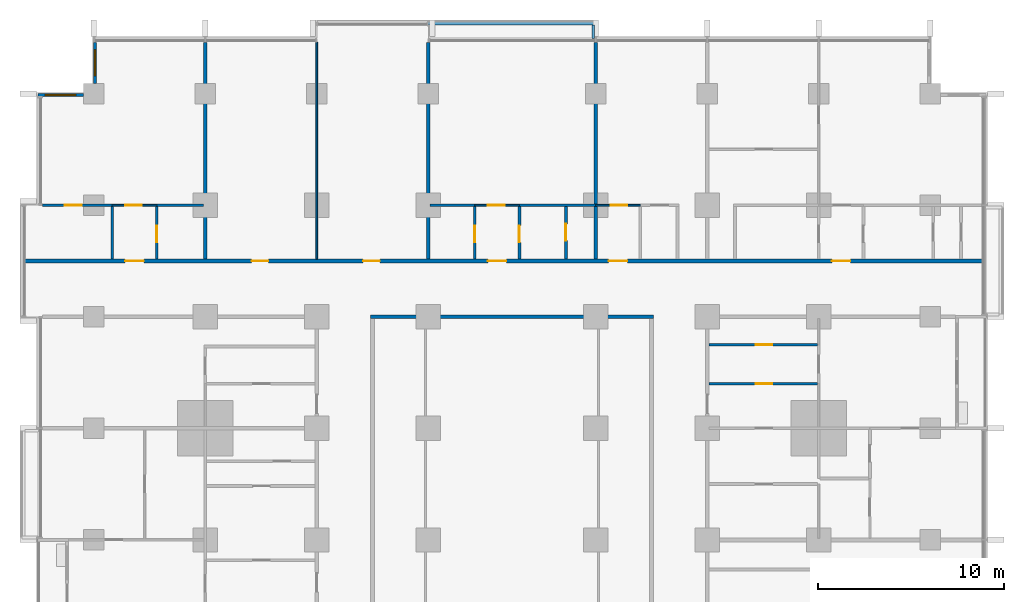
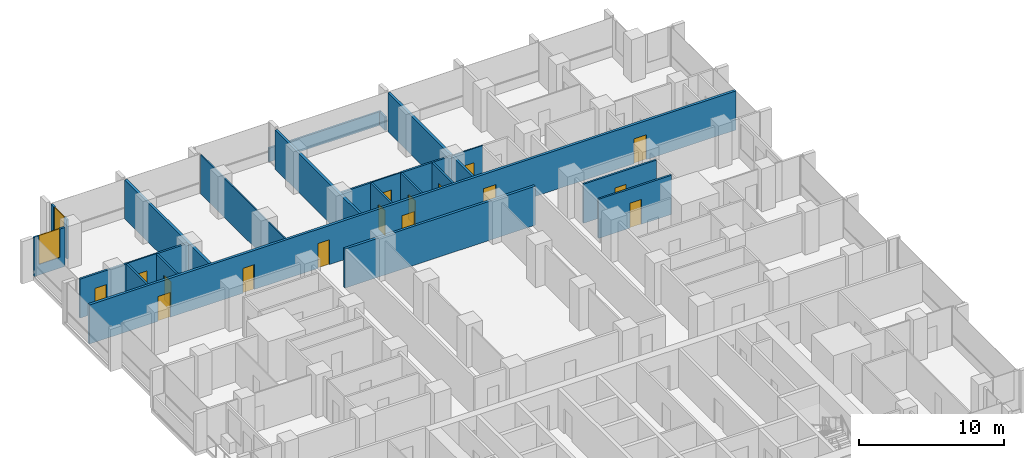
# One storey, part 11 of 18: 25 walls, 16 doors, 2 windows, 18 openings.
"""IFC4 building model written with IfcOpenShell, lengths in metres."""

from ifc_helpers import new_model, si_unit, direction, frame, frame_2d, origin, place, context, subcontext, project, spatial, rectangle, extrude, material, layer, layer_set, type_object, element, fill, save


model = new_model("IFC4")

# Units and contexts
model_context = context("Model", 3, precision=1e-05, world=origin(), true_north=direction((0.0, 1.0)))
body_context = subcontext(model_context, "Body", "Model", "MODEL_VIEW")
ifc_project = project(units=[si_unit("LENGTHUNIT", "METRE"), si_unit("AREAUNIT", "SQUARE_METRE"), si_unit("VOLUMEUNIT", "CUBIC_METRE"), si_unit("PLANEANGLEUNIT", "RADIAN"), si_unit("MASSUNIT", "GRAM", prefix="KILO")], contexts=[model_context])

# Site, building, storey
site_placement = place(None, origin())
site = spatial("IfcSite", under=ifc_project, at=site_placement, CompositionType="ELEMENT")
building_placement = place(site_placement, origin())
building = spatial("IfcBuilding", under=site, at=building_placement, Name="Finial Court Residences", CompositionType="ELEMENT")
storey_placement = place(building_placement, frame((0.0, 0.0, 36.10009765625)))
storey = spatial("IfcBuildingStorey", under=building, at=storey_placement, Name="L07", CompositionType="ELEMENT", Elevation=36.10009765625)

# Walls
ifc_material_1 = material(Name="Gypsum board")
ifc_layer_1 = layer(ifc_material_1, 0.02490234375)
ifc_material_2 = material(Name="Acoustic mineral wool in double frame")
ifc_layer_2 = layer(ifc_material_2, 0.14990234375)
ifc_layer_3 = layer(ifc_material_1, 0.02490234375)
ifc_layer_set_1 = layer_set([ifc_layer_1, ifc_layer_2, ifc_layer_3], Name="Acoustic party wall 200, 1 hour")
wall_type_1 = type_object("IfcWallType", Name="Acoustic party wall 200, 1 hour", PredefinedType="PARTITIONING", material=ifc_layer_set_1)
wall_1_placement = place(storey_placement, frame((4.5, 16.60009765625, 0.0), z_axis=(0.0, 0.0, 1.0), x_axis=(0.0, 1.0, 0.0)))
element("IfcWall", 1, at=wall_1_placement, inside=storey, type_object=wall_type_1, Name="Partition L07-069", PredefinedType="PARTITIONING", context=body_context, shape_type="SweptSolid", body=[
    extrude(rectangle(XDim=2.824951171875, YDim=0.199951171875, at=frame_2d((1.41259765625, 0.0))), origin(), (0.0, 0.0, 1.0), 3.2998046875),
])
wall_2_placement = place(storey_placement, frame((4.5, 19.574951171875, 0.0), z_axis=(0.0, 0.0, 1.0), x_axis=(0.0, 1.0, 0.0)))
element("IfcWall", 2, at=wall_2_placement, inside=storey, type_object=wall_type_1, Name="Partition L07-070", PredefinedType="PARTITIONING", context=body_context, shape_type="SweptSolid", body=[
    extrude(rectangle(XDim=8.675048828125, YDim=0.199951171875, at=frame_2d((4.33740234375, 0.0))), origin(), (0.0, 0.0, 1.0), 3.2998046875),
])
ifc_layer_4 = layer(ifc_material_1, 0.02490234375)
ifc_layer_5 = layer(ifc_material_2, 0.14990234375)
ifc_layer_6 = layer(ifc_material_1, 0.02490234375)
ifc_layer_set_2 = layer_set([ifc_layer_4, ifc_layer_5, ifc_layer_6], Name="Corridor wall 200, 1 hour")
wall_type_2 = type_object("IfcWallType", Name="Corridor wall 200, 1 hour", PredefinedType="PARTITIONING", material=ifc_layer_set_2)
wall_3_placement = place(storey_placement, frame((-7.60009765625, 13.5, 0.0), z_axis=(0.0, 0.0, 1.0), x_axis=(1.0, 0.0, 0.0)))
element("IfcWall", 3, at=wall_3_placement, inside=storey, type_object=wall_type_2, Name="Partition L07-032", PredefinedType="PARTITIONING", context=body_context, shape_type="SweptSolid", body=[
    extrude(rectangle(XDim=15.2001953125, YDim=0.199951171875, at=frame_2d((7.60009765625, 0.0))), origin(), (0.0, 0.0, 1.0), 3.2998046875),
])

# Wall, openings, doors
wall_4_placement = place(storey_placement, frame((-26.25, 16.5, 0.0), z_axis=(0.0, 0.0, 1.0), x_axis=(1.0, 0.0, 0.0)))
wall_4 = element("IfcWall", 4, at=wall_4_placement, inside=storey, type_object=wall_type_2, Name="Partition L07-034", PredefinedType="PARTITIONING", context=body_context, shape_type="SweptSolid", body=[
    extrude(rectangle(XDim=51.60009765625, YDim=0.199951171875, at=frame_2d((25.800048828125, 0.0))), origin(), (0.0, 0.0, 1.0), 3.2998046875),
])
opening_1_placement = place(wall_4_placement, frame((5.449951171875, 0.0, 0.0)))
opening_1 = element("IfcOpeningElement", 5, at=opening_1_placement, cuts=wall_4, Name="Opening L07-D022", PredefinedType="OPENING", context=body_context, shape_type="SweptSolid", body=[
    extrude(rectangle(XDim=1.0, YDim=2.10009765625, at=frame_2d((0.5, 1.050048828125))), frame((0.0, 0.10986328125, 0.0), z_axis=(0.0, -1.0, 0.0), x_axis=(1.0, 0.0, 0.0)), (0.0, 0.0, 1.0), 0.219970703125),
])
opening_2_placement = place(wall_4_placement, frame((12.25, 0.0, 0.0)))
opening_2 = element("IfcOpeningElement", 6, at=opening_2_placement, cuts=wall_4, Name="Opening L07-D023", PredefinedType="OPENING", context=body_context, shape_type="SweptSolid", body=[
    extrude(rectangle(XDim=0.89990234375, YDim=2.10009765625, at=frame_2d((0.449951171875, 1.050048828125))), frame((0.0, 0.10986328125, 0.0), z_axis=(0.0, -1.0, 0.0), x_axis=(1.0, 0.0, 0.0)), (0.0, 0.0, 1.0), 0.219970703125),
])
opening_3_placement = place(wall_4_placement, frame((18.25, 0.0, 0.0)))
opening_3 = element("IfcOpeningElement", 7, at=opening_3_placement, cuts=wall_4, Name="Opening L07-D024", PredefinedType="OPENING", context=body_context, shape_type="SweptSolid", body=[
    extrude(rectangle(XDim=0.89990234375, YDim=2.10009765625, at=frame_2d((0.449951171875, 1.050048828125))), frame((0.0, 0.10986328125, 0.0), z_axis=(0.0, -1.0, 0.0), x_axis=(1.0, 0.0, 0.0)), (0.0, 0.0, 1.0), 0.219970703125),
])
opening_4_placement = place(wall_4_placement, frame((24.949951171875, 0.0, 0.0)))
opening_4 = element("IfcOpeningElement", 8, at=opening_4_placement, cuts=wall_4, Name="Opening L07-D025", PredefinedType="OPENING", context=body_context, shape_type="SweptSolid", body=[
    extrude(rectangle(XDim=1.0, YDim=2.10009765625, at=frame_2d((0.5, 1.050048828125))), frame((0.0, 0.10986328125, 0.0), z_axis=(0.0, -1.0, 0.0), x_axis=(1.0, 0.0, 0.0)), (0.0, 0.0, 1.0), 0.219970703125),
])
opening_5_placement = place(wall_4_placement, frame((31.449951171875, 0.0, 0.0)))
opening_5 = element("IfcOpeningElement", 9, at=opening_5_placement, cuts=wall_4, Name="Opening L07-D026", PredefinedType="OPENING", context=body_context, shape_type="SweptSolid", body=[
    extrude(rectangle(XDim=1.0, YDim=2.10009765625, at=frame_2d((0.5, 1.050048828125))), frame((0.0, 0.10986328125, 0.0), z_axis=(0.0, -1.0, 0.0), x_axis=(1.0, 0.0, 0.0)), (0.0, 0.0, 1.0), 0.219970703125),
])
opening_6_placement = place(wall_4_placement, frame((43.449951171875, 0.0, 0.0)))
opening_6 = element("IfcOpeningElement", 10, at=opening_6_placement, cuts=wall_4, Name="Opening L07-D027", PredefinedType="OPENING", context=body_context, shape_type="SweptSolid", body=[
    extrude(rectangle(XDim=1.0, YDim=2.10009765625, at=frame_2d((0.5, 1.050048828125))), frame((0.0, 0.10986328125, 0.0), z_axis=(0.0, -1.0, 0.0), x_axis=(1.0, 0.0, 0.0)), (0.0, 0.0, 1.0), 0.219970703125),
])
ifc_material_3 = material(Name="Timber door leaf in hollow metal frame", Category="wood")
door_type_1 = type_object("IfcDoorType", Name="Fire door set 1000 x 2100, 30 minutes", OperationType="SINGLE_SWING_LEFT", PredefinedType="DOOR", material=ifc_material_3)
door_1_placement = place(opening_1_placement, origin())
door_1 = element("IfcDoor", 11, at=door_1_placement, inside=storey, type_object=door_type_1, Name="Door L07-D022", OperationType="SINGLE_SWING_RIGHT", OverallHeight=2.10009765625, OverallWidth=1.0, PredefinedType="DOOR", context=body_context, shape_type="SweptSolid", body=[
    extrude(rectangle(XDim=1.0, YDim=2.10009765625, at=frame_2d((0.5, 1.050048828125))), frame((0.0, 0.02490234375, 0.0), z_axis=(0.0, -1.0, 0.0), x_axis=(1.0, 0.0, 0.0)), (0.0, 0.0, 1.0), 0.050048828125),
])
fill(opening_1, door_1)
door_2_placement = place(opening_4_placement, origin())
door_2 = element("IfcDoor", 12, at=door_2_placement, inside=storey, type_object=door_type_1, Name="Door L07-D025", OperationType="SINGLE_SWING_RIGHT", OverallHeight=2.10009765625, OverallWidth=1.0, PredefinedType="DOOR", context=body_context, shape_type="SweptSolid", body=[
    extrude(rectangle(XDim=1.0, YDim=2.10009765625, at=frame_2d((0.5, 1.050048828125))), frame((0.0, 0.02490234375, 0.0), z_axis=(0.0, -1.0, 0.0), x_axis=(1.0, 0.0, 0.0)), (0.0, 0.0, 1.0), 0.050048828125),
])
fill(opening_4, door_2)
door_3_placement = place(opening_5_placement, origin())
door_3 = element("IfcDoor", 13, at=door_3_placement, inside=storey, type_object=door_type_1, Name="Door L07-D026", OperationType="SINGLE_SWING_LEFT", OverallHeight=2.10009765625, OverallWidth=1.0, PredefinedType="DOOR", context=body_context, shape_type="SweptSolid", body=[
    extrude(rectangle(XDim=1.0, YDim=2.10009765625, at=frame_2d((0.5, 1.050048828125))), frame((0.0, 0.02490234375, 0.0), z_axis=(0.0, -1.0, 0.0), x_axis=(1.0, 0.0, 0.0)), (0.0, 0.0, 1.0), 0.050048828125),
])
fill(opening_5, door_3)
door_4_placement = place(opening_6_placement, origin())
door_4 = element("IfcDoor", 14, at=door_4_placement, inside=storey, type_object=door_type_1, Name="Door L07-D027", OperationType="SINGLE_SWING_LEFT", OverallHeight=2.10009765625, OverallWidth=1.0, PredefinedType="DOOR", context=body_context, shape_type="SweptSolid", body=[
    extrude(rectangle(XDim=1.0, YDim=2.10009765625, at=frame_2d((0.5, 1.050048828125))), frame((0.0, 0.02490234375, 0.0), z_axis=(0.0, -1.0, 0.0), x_axis=(1.0, 0.0, 0.0)), (0.0, 0.0, 1.0), 0.050048828125),
])
fill(opening_6, door_4)
door_type_2 = type_object("IfcDoorType", Name="Fire door set 900 x 2100, 30 minutes", OperationType="SINGLE_SWING_LEFT", PredefinedType="DOOR", material=ifc_material_3)
door_5_placement = place(opening_2_placement, origin())
door_5 = element("IfcDoor", 15, at=door_5_placement, inside=storey, type_object=door_type_2, Name="Door L07-D023", OperationType="SINGLE_SWING_RIGHT", OverallHeight=2.10009765625, OverallWidth=0.89990234375, PredefinedType="DOOR", context=body_context, shape_type="SweptSolid", body=[
    extrude(rectangle(XDim=0.89990234375, YDim=2.10009765625, at=frame_2d((0.449951171875, 1.050048828125))), frame((0.0, 0.02490234375, 0.0), z_axis=(0.0, -1.0, 0.0), x_axis=(1.0, 0.0, 0.0)), (0.0, 0.0, 1.0), 0.050048828125),
])
fill(opening_2, door_5)
door_6_placement = place(opening_3_placement, origin())
door_6 = element("IfcDoor", 16, at=door_6_placement, inside=storey, type_object=door_type_2, Name="Door L07-D024", OperationType="SINGLE_SWING_RIGHT", OverallHeight=2.10009765625, OverallWidth=0.89990234375, PredefinedType="DOOR", context=body_context, shape_type="SweptSolid", body=[
    extrude(rectangle(XDim=0.89990234375, YDim=2.10009765625, at=frame_2d((0.449951171875, 1.050048828125))), frame((0.0, 0.02490234375, 0.0), z_axis=(0.0, -1.0, 0.0), x_axis=(1.0, 0.0, 0.0)), (0.0, 0.0, 1.0), 0.050048828125),
])
fill(opening_3, door_6)

# Walls
for number, where, z_axis, x_axis, name in (
    (17, (-16.5, 16.60009765625, 0.0), (0.0, 0.0, 1.0), (0.0, 1.0, 0.0), "Partition L07-051"),
    (18, (-4.5, 16.60009765625, 0.0), (0.0, 0.0, 1.0), (0.0, 1.0, 0.0), "Partition L07-065"),
):
    element("IfcWall", number, at=place(storey_placement, frame(where, z_axis=z_axis, x_axis=x_axis)), inside=storey, type_object=wall_type_2, Name=name, PredefinedType="PARTITIONING", context=body_context, shape_type="SweptSolid", body=[
        extrude(rectangle(XDim=11.64990234375, YDim=0.199951171875, at=frame_2d((5.824951171875, 0.0))), origin(), (0.0, 0.0, 1.0), 3.2998046875),
    ])

# Wall, opening, door
ifc_layer_7 = layer(ifc_material_1, 0.012451171875)
ifc_material_4 = material(Name="Mineral wool in light-gauge frame")
ifc_layer_8 = layer(ifc_material_4, 0.074951171875)
ifc_layer_9 = layer(ifc_material_1, 0.012451171875)
ifc_layer_set_3 = layer_set([ifc_layer_7, ifc_layer_8, ifc_layer_9], Name="Gypsum board partition 100")
wall_type_3 = type_object("IfcWallType", Name="Gypsum board partition 100", PredefinedType="PARTITIONING", material=ifc_layer_set_3)
wall_5_placement = place(storey_placement, frame((-21.5, 19.5, 0.0), z_axis=(0.0, 0.0, 1.0), x_axis=(1.0, 0.0, 0.0)))
wall_5 = element("IfcWall", 19, at=wall_5_placement, inside=storey, type_object=wall_type_3, Name="Partition L07-035", PredefinedType="PARTITIONING", context=body_context, shape_type="SweptSolid", body=[
    extrude(rectangle(XDim=2.39990234375, YDim=0.10009765625, at=frame_2d((1.199951171875, 0.0))), origin(), (0.0, 0.0, 1.0), 3.2998046875),
])
opening_7_placement = place(wall_5_placement, frame((0.699951171875, 0.0, 0.0)))
opening_7 = element("IfcOpeningElement", 20, at=opening_7_placement, cuts=wall_5, Name="Opening L07-D028", PredefinedType="OPENING", context=body_context, shape_type="SweptSolid", body=[
    extrude(rectangle(XDim=0.89990234375, YDim=2.10009765625, at=frame_2d((0.449951171875, 1.050048828125))), frame((0.0, 0.06005859375, 0.0), z_axis=(0.0, -1.0, 0.0), x_axis=(1.0, 0.0, 0.0)), (0.0, 0.0, 1.0), 0.1201171875),
])
ifc_material_5 = material(Name="Timber door leaf in timber frame", Category="wood")
door_type_3 = type_object("IfcDoorType", Name="Door set 900 x 2100", OperationType="SINGLE_SWING_LEFT", PredefinedType="DOOR", material=ifc_material_5)
door_7_placement = place(opening_7_placement, origin())
door_7 = element("IfcDoor", 21, at=door_7_placement, inside=storey, type_object=door_type_3, Name="Door L07-D028", OperationType="SINGLE_SWING_RIGHT", OverallHeight=2.10009765625, OverallWidth=0.89990234375, PredefinedType="DOOR", context=body_context, shape_type="SweptSolid", body=[
    extrude(rectangle(XDim=0.89990234375, YDim=2.10009765625, at=frame_2d((0.449951171875, 1.050048828125))), frame((0.0, 0.02490234375, 0.0), z_axis=(0.0, -1.0, 0.0), x_axis=(1.0, 0.0, 0.0)), (0.0, 0.0, 1.0), 0.050048828125),
])
fill(opening_7, door_7)

wall_6_placement = place(storey_placement, frame((-2.0, 19.5, 0.0), z_axis=(0.0, 0.0, 1.0), x_axis=(1.0, 0.0, 0.0)))
wall_6 = element("IfcWall", 22, at=wall_6_placement, inside=storey, type_object=wall_type_3, Name="Partition L07-036", PredefinedType="PARTITIONING", context=body_context, shape_type="SweptSolid", body=[
    extrude(rectangle(XDim=2.39990234375, YDim=0.10009765625, at=frame_2d((1.199951171875, 0.0))), origin(), (0.0, 0.0, 1.0), 3.2998046875),
])
opening_8_placement = place(wall_6_placement, frame((0.699951171875, 0.0, 0.0)))
opening_8 = element("IfcOpeningElement", 23, at=opening_8_placement, cuts=wall_6, Name="Opening L07-D029", PredefinedType="OPENING", context=body_context, shape_type="SweptSolid", body=[
    extrude(rectangle(XDim=0.89990234375, YDim=2.10009765625, at=frame_2d((0.449951171875, 1.050048828125))), frame((0.0, 0.06005859375, 0.0), z_axis=(0.0, -1.0, 0.0), x_axis=(1.0, 0.0, 0.0)), (0.0, 0.0, 1.0), 0.1201171875),
])
door_8_placement = place(opening_8_placement, origin())
door_8 = element("IfcDoor", 24, at=door_8_placement, inside=storey, type_object=door_type_3, Name="Door L07-D029", OperationType="SINGLE_SWING_RIGHT", OverallHeight=2.10009765625, OverallWidth=0.89990234375, PredefinedType="DOOR", context=body_context, shape_type="SweptSolid", body=[
    extrude(rectangle(XDim=0.89990234375, YDim=2.10009765625, at=frame_2d((0.449951171875, 1.050048828125))), frame((0.0, 0.02490234375, 0.0), z_axis=(0.0, -1.0, 0.0), x_axis=(1.0, 0.0, 0.0)), (0.0, 0.0, 1.0), 0.050048828125),
])
fill(opening_8, door_8)

wall_7_placement = place(storey_placement, frame((4.5, 19.5, 0.0), z_axis=(0.0, 0.0, 1.0), x_axis=(1.0, 0.0, 0.0)))
wall_7 = element("IfcWall", 25, at=wall_7_placement, inside=storey, type_object=wall_type_3, Name="Partition L07-037", PredefinedType="PARTITIONING", context=body_context, shape_type="SweptSolid", body=[
    extrude(rectangle(XDim=2.39990234375, YDim=0.10009765625, at=frame_2d((1.199951171875, 0.0))), origin(), (0.0, 0.0, 1.0), 3.2998046875),
])
opening_9_placement = place(wall_7_placement, frame((0.800048828125, 0.0, 0.0)))
opening_9 = element("IfcOpeningElement", 26, at=opening_9_placement, cuts=wall_7, Name="Opening L07-D030", PredefinedType="OPENING", context=body_context, shape_type="SweptSolid", body=[
    extrude(rectangle(XDim=0.89990234375, YDim=2.10009765625, at=frame_2d((0.449951171875, 1.050048828125))), frame((0.0, 0.06005859375, 0.0), z_axis=(0.0, -1.0, 0.0), x_axis=(1.0, 0.0, 0.0)), (0.0, 0.0, 1.0), 0.1201171875),
])
door_9_placement = place(opening_9_placement, origin())
door_9 = element("IfcDoor", 27, at=door_9_placement, inside=storey, type_object=door_type_3, Name="Door L07-D030", OperationType="SINGLE_SWING_RIGHT", OverallHeight=2.10009765625, OverallWidth=0.89990234375, PredefinedType="DOOR", context=body_context, shape_type="SweptSolid", body=[
    extrude(rectangle(XDim=0.89990234375, YDim=2.10009765625, at=frame_2d((0.449951171875, 1.050048828125))), frame((0.0, 0.02490234375, 0.0), z_axis=(0.0, -1.0, 0.0), x_axis=(1.0, 0.0, 0.0)), (0.0, 0.0, 1.0), 0.050048828125),
])
fill(opening_9, door_9)

# Wall
wall_8_placement = place(storey_placement, frame((-10.5, 16.60009765625, 0.0), z_axis=(0.0, 0.0, 1.0), x_axis=(0.0, 1.0, 0.0)))
element("IfcWall", 28, at=wall_8_placement, inside=storey, type_object=wall_type_3, Name="Partition L07-062", PredefinedType="PARTITIONING", context=body_context, shape_type="SweptSolid", body=[
    extrude(rectangle(XDim=11.64990234375, YDim=0.10009765625, at=frame_2d((5.824951171875, 0.0))), origin(), (0.0, 0.0, 1.0), 3.2998046875),
])

# Wall, opening, door
ifc_material_6 = material(Name="Moisture-resistant gypsum board")
ifc_layer_10 = layer(ifc_material_6, 0.012451171875)
ifc_layer_11 = layer(ifc_material_4, 0.125)
ifc_layer_12 = layer(ifc_material_6, 0.012451171875)
ifc_layer_set_4 = layer_set([ifc_layer_10, ifc_layer_11, ifc_layer_12], Name="Gypsum board wet-area partition 150")
wall_type_4 = type_object("IfcWallType", Name="Gypsum board wet-area partition 150", PredefinedType="PARTITIONING", material=ifc_layer_set_4)
wall_9_placement = place(storey_placement, frame((10.60009765625, 9.89990234375, 0.0), z_axis=(0.0, 0.0, 1.0), x_axis=(1.0, 0.0, 0.0)))
wall_9 = element("IfcWall", 29, at=wall_9_placement, inside=storey, type_object=wall_type_4, Name="Partition L07-028", PredefinedType="PARTITIONING", context=body_context, shape_type="SweptSolid", body=[
    extrude(rectangle(XDim=5.824951171875, YDim=0.14990234375, at=frame_2d((2.91259765625, 0.0))), origin(), (0.0, 0.0, 1.0), 3.2998046875),
])
opening_10_placement = place(wall_9_placement, frame((2.5, 0.0, 0.0)))
opening_10 = element("IfcOpeningElement", 30, at=opening_10_placement, cuts=wall_9, Name="Opening L07-D020", PredefinedType="OPENING", context=body_context, shape_type="SweptSolid", body=[
    extrude(rectangle(XDim=0.89990234375, YDim=2.10009765625, at=frame_2d((0.449951171875, 1.050048828125))), frame((0.0, 0.0849609375, 0.0), z_axis=(0.0, -1.0, 0.0), x_axis=(1.0, 0.0, 0.0)), (0.0, 0.0, 1.0), 0.169921875),
])
door_10_placement = place(opening_10_placement, origin())
door_10 = element("IfcDoor", 31, at=door_10_placement, inside=storey, type_object=door_type_3, Name="Door L07-D020", OperationType="SINGLE_SWING_LEFT", OverallHeight=2.10009765625, OverallWidth=0.89990234375, PredefinedType="DOOR", context=body_context, shape_type="SweptSolid", body=[
    extrude(rectangle(XDim=0.89990234375, YDim=2.10009765625, at=frame_2d((0.449951171875, 1.050048828125))), frame((0.0, 0.02490234375, 0.0), z_axis=(0.0, -1.0, 0.0), x_axis=(1.0, 0.0, 0.0)), (0.0, 0.0, 1.0), 0.050048828125),
])
fill(opening_10, door_10)

wall_10_placement = place(storey_placement, frame((10.60009765625, 12.0, 0.0), z_axis=(0.0, 0.0, 1.0), x_axis=(1.0, 0.0, 0.0)))
wall_10 = element("IfcWall", 32, at=wall_10_placement, inside=storey, type_object=wall_type_4, Name="Partition L07-030", PredefinedType="PARTITIONING", context=body_context, shape_type="SweptSolid", body=[
    extrude(rectangle(XDim=5.824951171875, YDim=0.14990234375, at=frame_2d((2.91259765625, 0.0))), origin(), (0.0, 0.0, 1.0), 3.2998046875),
])
opening_11_placement = place(wall_10_placement, frame((2.5, 0.0, 0.0)))
opening_11 = element("IfcOpeningElement", 33, at=opening_11_placement, cuts=wall_10, Name="Opening L07-D021", PredefinedType="OPENING", context=body_context, shape_type="SweptSolid", body=[
    extrude(rectangle(XDim=0.89990234375, YDim=2.10009765625, at=frame_2d((0.449951171875, 1.050048828125))), frame((0.0, 0.0849609375, 0.0), z_axis=(0.0, -1.0, 0.0), x_axis=(1.0, 0.0, 0.0)), (0.0, 0.0, 1.0), 0.169921875),
])
door_11_placement = place(opening_11_placement, origin())
door_11 = element("IfcDoor", 34, at=door_11_placement, inside=storey, type_object=door_type_3, Name="Door L07-D021", OperationType="SINGLE_SWING_RIGHT", OverallHeight=2.10009765625, OverallWidth=0.89990234375, PredefinedType="DOOR", context=body_context, shape_type="SweptSolid", body=[
    extrude(rectangle(XDim=0.89990234375, YDim=2.10009765625, at=frame_2d((0.449951171875, 1.050048828125))), frame((0.0, 0.02490234375, 0.0), z_axis=(0.0, -1.0, 0.0), x_axis=(1.0, 0.0, 0.0)), (0.0, 0.0, 1.0), 0.050048828125),
])
fill(opening_11, door_11)

wall_11_placement = place(storey_placement, frame((-25.25, 19.5, 0.0), z_axis=(0.0, 0.0, 1.0), x_axis=(1.0, 0.0, 0.0)))
wall_11 = element("IfcWall", 35, at=wall_11_placement, inside=storey, type_object=wall_type_4, Name="Partition L07-039", PredefinedType="PARTITIONING", context=body_context, shape_type="SweptSolid", body=[
    extrude(rectangle(XDim=3.75, YDim=0.14990234375, at=frame_2d((1.875, 0.0))), origin(), (0.0, 0.0, 1.0), 3.2998046875),
])
opening_12_placement = place(wall_11_placement, frame((1.199951171875, 0.0, 0.0)))
opening_12 = element("IfcOpeningElement", 36, at=opening_12_placement, cuts=wall_11, Name="Opening L07-D032", PredefinedType="OPENING", context=body_context, shape_type="SweptSolid", body=[
    extrude(rectangle(XDim=0.89990234375, YDim=2.10009765625, at=frame_2d((0.449951171875, 1.050048828125))), frame((0.0, 0.0849609375, 0.0), z_axis=(0.0, -1.0, 0.0), x_axis=(1.0, 0.0, 0.0)), (0.0, 0.0, 1.0), 0.169921875),
])
door_12_placement = place(opening_12_placement, origin())
door_12 = element("IfcDoor", 37, at=door_12_placement, inside=storey, type_object=door_type_3, Name="Door L07-D032", OperationType="SINGLE_SWING_LEFT", OverallHeight=2.10009765625, OverallWidth=0.89990234375, PredefinedType="DOOR", context=body_context, shape_type="SweptSolid", body=[
    extrude(rectangle(XDim=0.89990234375, YDim=2.10009765625, at=frame_2d((0.449951171875, 1.050048828125))), frame((0.0, 0.02490234375, 0.0), z_axis=(0.0, -1.0, 0.0), x_axis=(1.0, 0.0, 0.0)), (0.0, 0.0, 1.0), 0.050048828125),
])
fill(opening_12, door_12)

# Walls
wall_12_placement = place(storey_placement, frame((-19.10009765625, 19.5, 0.0), z_axis=(0.0, 0.0, 1.0), x_axis=(1.0, 0.0, 0.0)))
element("IfcWall", 38, at=wall_12_placement, inside=storey, type_object=wall_type_4, Name="Partition L07-040", PredefinedType="PARTITIONING", context=body_context, shape_type="SweptSolid", body=[
    extrude(rectangle(XDim=2.5, YDim=0.14990234375, at=frame_2d((1.25, 0.0))), origin(), (0.0, 0.0, 1.0), 3.2998046875),
])
wall_13_placement = place(storey_placement, frame((-4.39990234375, 19.5, 0.0), z_axis=(0.0, 0.0, 1.0), x_axis=(1.0, 0.0, 0.0)))
element("IfcWall", 39, at=wall_13_placement, inside=storey, type_object=wall_type_4, Name="Partition L07-041", PredefinedType="PARTITIONING", context=body_context, shape_type="SweptSolid", body=[
    extrude(rectangle(XDim=2.39990234375, YDim=0.14990234375, at=frame_2d((1.199951171875, 0.0))), origin(), (0.0, 0.0, 1.0), 3.2998046875),
])
wall_14_placement = place(storey_placement, frame((0.39990234375, 19.5, 0.0), z_axis=(0.0, 0.0, 1.0), x_axis=(1.0, 0.0, 0.0)))
element("IfcWall", 40, at=wall_14_placement, inside=storey, type_object=wall_type_4, Name="Partition L07-042", PredefinedType="PARTITIONING", context=body_context, shape_type="SweptSolid", body=[
    extrude(rectangle(XDim=4.10009765625, YDim=0.14990234375, at=frame_2d((2.050048828125, 0.0))), origin(), (0.0, 0.0, 1.0), 3.2998046875),
])
wall_15_placement = place(storey_placement, frame((-21.5, 16.60009765625, 0.0), z_axis=(0.0, 0.0, 1.0), x_axis=(0.0, 1.0, 0.0)))
element("IfcWall", 41, at=wall_15_placement, inside=storey, type_object=wall_type_4, Name="Partition L07-047", PredefinedType="PARTITIONING", context=body_context, shape_type="SweptSolid", body=[
    extrude(rectangle(XDim=2.824951171875, YDim=0.14990234375, at=frame_2d((1.41259765625, 0.0))), origin(), (0.0, 0.0, 1.0), 3.2998046875),
])

# Wall, opening, door
wall_16_placement = place(storey_placement, frame((-19.10009765625, 16.60009765625, 0.0), z_axis=(0.0, 0.0, 1.0), x_axis=(0.0, 1.0, 0.0)))
wall_16 = element("IfcWall", 42, at=wall_16_placement, inside=storey, type_object=wall_type_4, Name="Partition L07-049", PredefinedType="PARTITIONING", context=body_context, shape_type="SweptSolid", body=[
    extrude(rectangle(XDim=2.824951171875, YDim=0.14990234375, at=frame_2d((1.41259765625, 0.0))), origin(), (0.0, 0.0, 1.0), 3.2998046875),
])
opening_13_placement = place(wall_16_placement, frame((0.89990234375, 0.0, 0.0)))
opening_13 = element("IfcOpeningElement", 43, at=opening_13_placement, cuts=wall_16, Name="Opening L07-D036", PredefinedType="OPENING", context=body_context, shape_type="SweptSolid", body=[
    extrude(rectangle(XDim=0.89990234375, YDim=2.10009765625, at=frame_2d((0.449951171875, 1.050048828125))), frame((0.0, 0.0849609375, 0.0), z_axis=(0.0, -1.0, 0.0), x_axis=(1.0, 0.0, 0.0)), (0.0, 0.0, 1.0), 0.169921875),
])
door_13_placement = place(opening_13_placement, origin())
door_13 = element("IfcDoor", 44, at=door_13_placement, inside=storey, type_object=door_type_3, Name="Door L07-D036", OperationType="SINGLE_SWING_LEFT", OverallHeight=2.10009765625, OverallWidth=0.89990234375, PredefinedType="DOOR", context=body_context, shape_type="SweptSolid", body=[
    extrude(rectangle(XDim=0.89990234375, YDim=2.10009765625, at=frame_2d((0.449951171875, 1.050048828125))), frame((0.0, 0.02490234375, 0.0), z_axis=(0.0, -1.0, 0.0), x_axis=(1.0, 0.0, 0.0)), (0.0, 0.0, 1.0), 0.050048828125),
])
fill(opening_13, door_13)

wall_17_placement = place(storey_placement, frame((-2.0, 16.60009765625, 0.0), z_axis=(0.0, 0.0, 1.0), x_axis=(0.0, 1.0, 0.0)))
wall_17 = element("IfcWall", 45, at=wall_17_placement, inside=storey, type_object=wall_type_4, Name="Partition L07-066", PredefinedType="PARTITIONING", context=body_context, shape_type="SweptSolid", body=[
    extrude(rectangle(XDim=2.824951171875, YDim=0.14990234375, at=frame_2d((1.41259765625, 0.0))), origin(), (0.0, 0.0, 1.0), 3.2998046875),
])
opening_14_placement = place(wall_17_placement, frame((0.89990234375, 0.0, 0.0)))
opening_14 = element("IfcOpeningElement", 46, at=opening_14_placement, cuts=wall_17, Name="Opening L07-D044", PredefinedType="OPENING", context=body_context, shape_type="SweptSolid", body=[
    extrude(rectangle(XDim=0.89990234375, YDim=2.10009765625, at=frame_2d((0.449951171875, 1.050048828125))), frame((0.0, 0.0849609375, 0.0), z_axis=(0.0, -1.0, 0.0), x_axis=(1.0, 0.0, 0.0)), (0.0, 0.0, 1.0), 0.169921875),
])
door_14_placement = place(opening_14_placement, origin())
door_14 = element("IfcDoor", 47, at=door_14_placement, inside=storey, type_object=door_type_3, Name="Door L07-D044", OperationType="SINGLE_SWING_RIGHT", OverallHeight=2.10009765625, OverallWidth=0.89990234375, PredefinedType="DOOR", context=body_context, shape_type="SweptSolid", body=[
    extrude(rectangle(XDim=0.89990234375, YDim=2.10009765625, at=frame_2d((0.449951171875, 1.050048828125))), frame((0.0, 0.02490234375, 0.0), z_axis=(0.0, -1.0, 0.0), x_axis=(1.0, 0.0, 0.0)), (0.0, 0.0, 1.0), 0.050048828125),
])
fill(opening_14, door_14)

wall_18_placement = place(storey_placement, frame((0.39990234375, 16.60009765625, 0.0), z_axis=(0.0, 0.0, 1.0), x_axis=(0.0, 1.0, 0.0)))
wall_18 = element("IfcWall", 48, at=wall_18_placement, inside=storey, type_object=wall_type_4, Name="Partition L07-067", PredefinedType="PARTITIONING", context=body_context, shape_type="SweptSolid", body=[
    extrude(rectangle(XDim=2.824951171875, YDim=0.14990234375, at=frame_2d((1.41259765625, 0.0))), origin(), (0.0, 0.0, 1.0), 3.2998046875),
])
opening_15_placement = place(wall_18_placement, frame((0.89990234375, 0.0, 0.0)))
opening_15 = element("IfcOpeningElement", 49, at=opening_15_placement, cuts=wall_18, Name="Opening L07-D045", PredefinedType="OPENING", context=body_context, shape_type="SweptSolid", body=[
    extrude(rectangle(XDim=0.89990234375, YDim=2.10009765625, at=frame_2d((0.449951171875, 1.050048828125))), frame((0.0, 0.0849609375, 0.0), z_axis=(0.0, -1.0, 0.0), x_axis=(1.0, 0.0, 0.0)), (0.0, 0.0, 1.0), 0.169921875),
])
door_15_placement = place(opening_15_placement, origin())
door_15 = element("IfcDoor", 50, at=door_15_placement, inside=storey, type_object=door_type_3, Name="Door L07-D045", OperationType="SINGLE_SWING_RIGHT", OverallHeight=2.10009765625, OverallWidth=0.89990234375, PredefinedType="DOOR", context=body_context, shape_type="SweptSolid", body=[
    extrude(rectangle(XDim=0.89990234375, YDim=2.10009765625, at=frame_2d((0.449951171875, 1.050048828125))), frame((0.0, 0.02490234375, 0.0), z_axis=(0.0, -1.0, 0.0), x_axis=(1.0, 0.0, 0.0)), (0.0, 0.0, 1.0), 0.050048828125),
])
fill(opening_15, door_15)

wall_19_placement = place(storey_placement, frame((2.89990234375, 16.60009765625, 0.0), z_axis=(0.0, 0.0, 1.0), x_axis=(0.0, 1.0, 0.0)))
wall_19 = element("IfcWall", 51, at=wall_19_placement, inside=storey, type_object=wall_type_4, Name="Partition L07-068", PredefinedType="PARTITIONING", context=body_context, shape_type="SweptSolid", body=[
    extrude(rectangle(XDim=2.824951171875, YDim=0.14990234375, at=frame_2d((1.41259765625, 0.0))), origin(), (0.0, 0.0, 1.0), 3.2998046875),
])
opening_16_placement = place(wall_19_placement, frame((1.0, 0.0, 0.0)))
opening_16 = element("IfcOpeningElement", 52, at=opening_16_placement, cuts=wall_19, Name="Opening L07-D046", PredefinedType="OPENING", context=body_context, shape_type="SweptSolid", body=[
    extrude(rectangle(XDim=0.89990234375, YDim=2.10009765625, at=frame_2d((0.449951171875, 1.050048828125))), frame((0.0, 0.0849609375, 0.0), z_axis=(0.0, -1.0, 0.0), x_axis=(1.0, 0.0, 0.0)), (0.0, 0.0, 1.0), 0.169921875),
])
door_16_placement = place(opening_16_placement, origin())
door_16 = element("IfcDoor", 53, at=door_16_placement, inside=storey, type_object=door_type_3, Name="Door L07-D046", OperationType="SINGLE_SWING_RIGHT", OverallHeight=2.10009765625, OverallWidth=0.89990234375, PredefinedType="DOOR", context=body_context, shape_type="SweptSolid", body=[
    extrude(rectangle(XDim=0.89990234375, YDim=2.10009765625, at=frame_2d((0.449951171875, 1.050048828125))), frame((0.0, 0.02490234375, 0.0), z_axis=(0.0, -1.0, 0.0), x_axis=(1.0, 0.0, 0.0)), (0.0, 0.0, 1.0), 0.050048828125),
])
fill(opening_16, door_16)

# Walls
ifc_material_7 = material(Name="Concrete C35/45", Category="concrete")
ifc_layer_13 = layer(ifc_material_7, 0.14990234375)
ifc_layer_set_5 = layer_set([ifc_layer_13], Name="Ledge parapet, Concrete C35/45 150")
wall_type_5 = type_object("IfcWallType", Name="Ledge parapet, Concrete C35/45 150", PredefinedType="PARAPET", material=ifc_layer_set_5)
wall_20_placement = place(storey_placement, frame((-4.5400390625, 29.27490234375, 0.0), z_axis=(0.0, 0.0, 1.0), x_axis=(1.0, 0.0, 0.0)))
element("IfcWall", 54, at=wall_20_placement, inside=storey, type_object=wall_type_5, Name="E-L07-LED2-P1", PredefinedType="PARAPET", context=body_context, shape_type="SweptSolid", body=[
    extrude(rectangle(XDim=8.989990234375, YDim=0.14990234375, at=frame_2d((4.4951171875, 0.0))), origin(), (0.0, 0.0, 1.0), 1.14990234375),
])
wall_21_placement = place(storey_placement, frame((4.375, 29.199951171875, 0.0), z_axis=(0.0, 0.0, 1.0), x_axis=(0.0, -1.0, 0.0)))
element("IfcWall", 55, at=wall_21_placement, inside=storey, type_object=wall_type_5, Name="E-L07-LED2-P2", PredefinedType="PARAPET", context=body_context, shape_type="SweptSolid", body=[
    extrude(rectangle(XDim=0.739990234375, YDim=0.14990234375, at=frame_2d((0.3701171875, 0.0))), origin(), (0.0, 0.0, 1.0), 1.14990234375),
])

# Wall, opening, window
ifc_material_8 = material(Name="Natural limestone", Category="masonry")
ifc_layer_14 = layer(ifc_material_8, 0.14990234375)
ifc_layer_set_6 = layer_set([ifc_layer_14], Name="Limestone clad wall 150")
wall_type_6 = type_object("IfcWallType", Name="Limestone clad wall 150", PredefinedType="SOLIDWALL", material=ifc_layer_set_6)
wall_22_placement = place(storey_placement, frame((-22.425048828125, 26.050048828125, 0.0), z_axis=(0.0, 0.0, 1.0), x_axis=(0.0, 1.0, 0.0)))
wall_22 = element("IfcWall", 56, at=wall_22_placement, inside=storey, type_object=wall_type_6, Name="E-L07-NWW18", PredefinedType="SOLIDWALL", context=body_context, shape_type="SweptSolid", body=[
    extrude(rectangle(XDim=2.199951171875, YDim=0.14990234375, at=frame_2d((1.10009765625, 0.0))), origin(), (0.0, 0.0, 1.0), 3.2998046875),
])
opening_17_placement = place(wall_22_placement, frame((0.39990234375, 0.0, 0.89990234375)))
opening_17 = element("IfcOpeningElement", 57, at=opening_17_placement, cuts=wall_22, Name="Opening WE07-05", PredefinedType="OPENING", context=body_context, shape_type="SweptSolid", body=[
    extrude(rectangle(XDim=1.39990234375, YDim=2.39990234375, at=frame_2d((0.699951171875, 1.199951171875))), frame((0.0, 0.0849609375, 0.0), z_axis=(0.0, -1.0, 0.0), x_axis=(1.0, 0.0, 0.0)), (0.0, 0.0, 1.0), 0.169921875),
])
ifc_material_9 = material(Name="Clear low-e glass", Category="glass")
window_type_1 = type_object("IfcWindowType", Name="Corner window 1400 x 2400", PartitioningType="SINGLE_PANEL", PredefinedType="WINDOW", material=ifc_material_9)
window_1_placement = place(opening_17_placement, origin())
window_1 = element("IfcWindow", 58, at=window_1_placement, inside=storey, type_object=window_type_1, Name="E-L07-NWW18-W1", OverallHeight=2.39990234375, OverallWidth=1.39990234375, PartitioningType="SINGLE_PANEL", PredefinedType="WINDOW", context=body_context, shape_type="SweptSolid", body=[
    extrude(rectangle(XDim=1.39990234375, YDim=2.39990234375, at=frame_2d((0.699951171875, 1.199951171875))), frame((0.0, 0.030029296875, 0.0), z_axis=(0.0, -1.0, 0.0), x_axis=(1.0, 0.0, 0.0)), (0.0, 0.0, 1.0), 0.06005859375),
])
fill(opening_17, window_1)

wall_23_placement = place(storey_placement, frame((-25.5, 25.425048828125, 0.0), z_axis=(0.0, 0.0, 1.0), x_axis=(1.0, 0.0, 0.0)))
wall_23 = element("IfcWall", 59, at=wall_23_placement, inside=storey, type_object=wall_type_6, Name="E-L07-NWN19", PredefinedType="SOLIDWALL", context=body_context, shape_type="SweptSolid", body=[
    extrude(rectangle(XDim=2.449951171875, YDim=0.14990234375, at=frame_2d((1.22509765625, 0.0))), origin(), (0.0, 0.0, 1.0), 3.2998046875),
])
opening_18_placement = place(wall_23_placement, frame((0.39990234375, 0.0, 0.89990234375)))
opening_18 = element("IfcOpeningElement", 60, at=opening_18_placement, cuts=wall_23, Name="Opening WE07-06", PredefinedType="OPENING", context=body_context, shape_type="SweptSolid", body=[
    extrude(rectangle(XDim=1.64990234375, YDim=2.39990234375, at=frame_2d((0.824951171875, 1.199951171875))), frame((0.0, 0.0849609375, 0.0), z_axis=(0.0, -1.0, 0.0), x_axis=(1.0, 0.0, 0.0)), (0.0, 0.0, 1.0), 0.169921875),
])
window_type_2 = type_object("IfcWindowType", Name="Corner window 1650 x 2400", PartitioningType="SINGLE_PANEL", PredefinedType="WINDOW", material=ifc_material_9)
window_2_placement = place(opening_18_placement, origin())
window_2 = element("IfcWindow", 61, at=window_2_placement, inside=storey, type_object=window_type_2, Name="E-L07-NWN19-W1", OverallHeight=2.39990234375, OverallWidth=1.64990234375, PartitioningType="SINGLE_PANEL", PredefinedType="WINDOW", context=body_context, shape_type="SweptSolid", body=[
    extrude(rectangle(XDim=1.64990234375, YDim=2.39990234375, at=frame_2d((0.824951171875, 1.199951171875))), frame((0.0, 0.030029296875, 0.0), z_axis=(0.0, -1.0, 0.0), x_axis=(1.0, 0.0, 0.0)), (0.0, 0.0, 1.0), 0.06005859375),
])
fill(opening_18, window_2)

save(model, "model.ifc")
